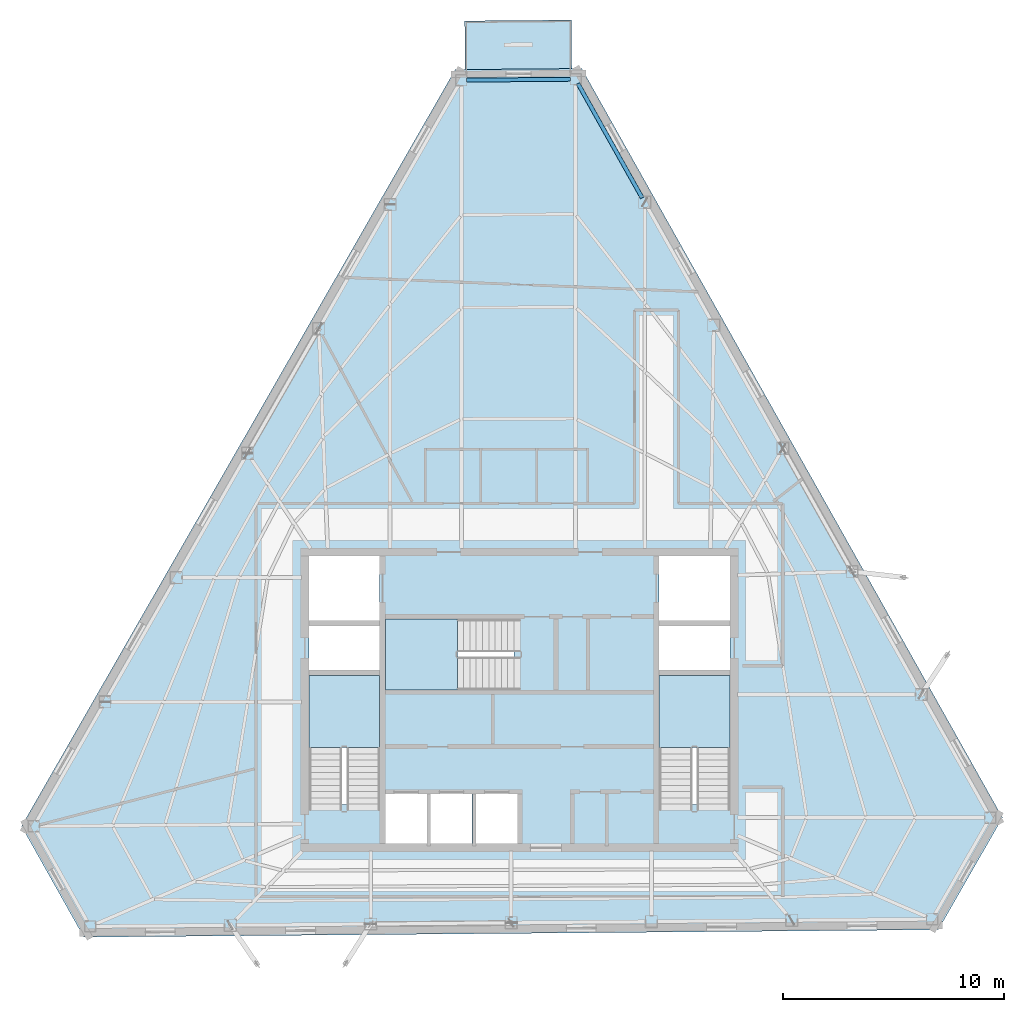
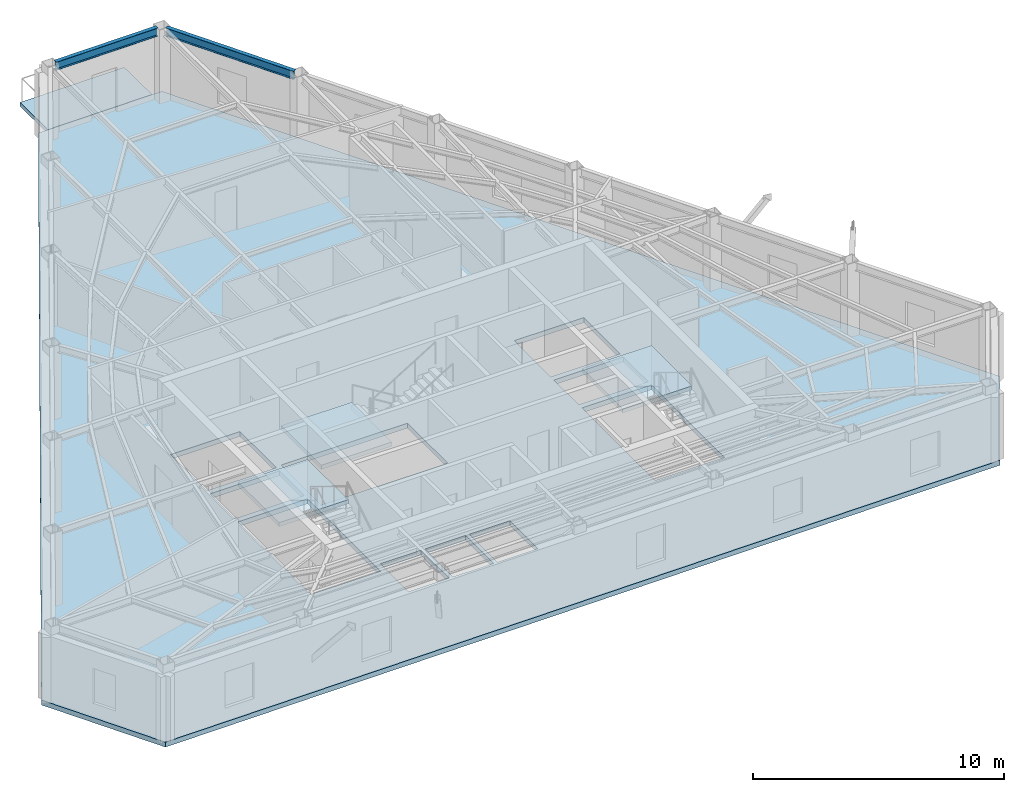
# One storey, part 3 of 11: 5 slabs, 2 beams, 3 elements without a shape of their own.
"""IFC4 building model written with IfcOpenShell, lengths in metres."""

import ifcopenshell
import ifcopenshell.guid

model = None  # the IFC model being written
_history = None  # IfcOwnerHistory: only IFC2X3 demands one
_inside = {}  # id of a spatial element -> (the spatial element, [elements in it])
_under = {}  # id of a project, library or spatial element -> (it, [spatial elements below it])
_declared = {}  # id of a project -> (the project, [libraries it declares])
_typed = {}  # id of a type object -> (the type object, [elements of that type])
_made_of = {}  # id of a material, layer set ... -> (it, [elements and type objects made of it])


def new_model(schema):
    """Start an empty IFC model of exactly this schema.

    Asked for "IFC4X3", IfcOpenShell would pick the latest addendum, in which some entities
    have other attributes; the version numbers below select the first issue.
    IFC2X3 requires an IfcOwnerHistory on every rooted entity: one is made here for all.
    """
    global model, _history
    if schema == "IFC4X3":
        model = ifcopenshell.file(schema_version=(4, 3, 0, 0))
    else:
        model = ifcopenshell.file(schema=schema)
    _inside.clear()
    _under.clear()
    _declared.clear()
    _typed.clear()
    _made_of.clear()
    _history = None
    if model.schema == "IFC2X3":
        org = make("IfcOrganization", Name="unknown")
        user = make(
            "IfcPersonAndOrganization",
            ThePerson=make("IfcPerson", FamilyName="unknown"),
            TheOrganization=org,
        )
        app = make(
            "IfcApplication",
            ApplicationDeveloper=org,
            Version="unknown",
            ApplicationFullName="unknown",
            ApplicationIdentifier="unknown",
        )
        _history = make(
            "IfcOwnerHistory",
            OwningUser=user,
            OwningApplication=app,
            ChangeAction="ADDED",
            CreationDate=0,
        )
    return model


def make(cls, **values):
    """One entity of the class cls with the attributes given. An attribute that is None is left unset."""
    return model.create_entity(
        cls, **{name: value for name, value in values.items() if value is not None}
    )


def rooted(cls, **values):
    """An entity with a GlobalId (a new one), such as an element, a storey or a relation."""
    return make(cls, GlobalId=ifcopenshell.guid.new(), OwnerHistory=_history, **values)


def si_unit(unit_type, name, prefix=None):
    """IfcSIUnit, for example si_unit("LENGTHUNIT", "METRE", prefix="MILLI")."""
    return make("IfcSIUnit", UnitType=unit_type, Prefix=prefix, Name=name)


def assignment(units):
    """IfcUnitAssignment: the units of a project."""
    return None if units is None else make("IfcUnitAssignment", Units=units)


def point(xyz):
    """IfcCartesianPoint."""
    return None if xyz is None else make("IfcCartesianPoint", Coordinates=xyz)


def direction(xyz):
    """IfcDirection."""
    return None if xyz is None else make("IfcDirection", DirectionRatios=xyz)


def frame(location, z_axis=None, x_axis=None):
    """IfcAxis2Placement3D, a coordinate frame: its origin and axes. An axis left out is left unset."""
    return make(
        "IfcAxis2Placement3D",
        Location=point(location),
        Axis=direction(z_axis),
        RefDirection=direction(x_axis),
    )


def frame_2d(location, x_axis=None):
    """IfcAxis2Placement2D, a coordinate frame in the plane: its origin and x axis."""
    return make(
        "IfcAxis2Placement2D", Location=point(location), RefDirection=direction(x_axis)
    )


def origin():
    """The frame at (0, 0, 0) with its axes left unset."""
    return frame((0.0, 0.0, 0.0))


def origin_2d():
    """The frame at (0, 0) in the plane with its x axis left unset."""
    return frame_2d((0.0, 0.0))


def place(relative_to, where):
    """IfcLocalPlacement: puts the frame where relative to a parent placement (None: the world)."""
    return make(
        "IfcLocalPlacement", PlacementRelTo=relative_to, RelativePlacement=where
    )


def context(
    kind, dimensions, precision=None, world=None, true_north=None, identifier=None
):
    """IfcGeometricRepresentationContext, for example the 3D "Model" context."""
    return make(
        "IfcGeometricRepresentationContext",
        ContextIdentifier=identifier,
        ContextType=kind,
        CoordinateSpaceDimension=dimensions,
        Precision=precision,
        WorldCoordinateSystem=world,
        TrueNorth=true_north,
    )


def subcontext(parent, identifier, kind, view, scale=None):
    """IfcGeometricRepresentationSubContext, for example "Body" below "Model"."""
    return make(
        "IfcGeometricRepresentationSubContext",
        ContextIdentifier=identifier,
        ContextType=kind,
        ParentContext=parent,
        TargetScale=scale,
        TargetView=view,
    )


def project(units=None, contexts=None):
    """IfcProject with its units and contexts."""
    return rooted(
        "IfcProject",
        Name="project",
        RepresentationContexts=contexts,
        UnitsInContext=assignment(units),
    )


def spatial(cls, under=None, at=None, **own):
    """A site, building, storey or space (cls), placed at a placement, below another one or the project."""
    s = rooted(cls, ObjectPlacement=at, **own)
    if under is not None:
        _under.setdefault(under.id(), (under, []))[1].append(s)
    return s


def polyline(points):
    """IfcPolyline through the points."""
    return make("IfcPolyline", Points=[point(p) for p in points])


def profile(cls, at=None, kind="AREA", **sizes):
    """A parametric profile (cls). Its sizes go by their IFC names, for example OverallWidth=200.0."""
    return make(cls, ProfileType=kind, Position=at, **sizes)


def i_section(**sizes):
    """IfcIShapeProfileDef."""
    return profile("IfcIShapeProfileDef", **sizes)


def outline(outer, holes=None, kind="AREA"):
    """IfcArbitraryClosedProfileDef: a profile drawn as a closed curve; with holes, ...WithVoids."""
    if holes is None:
        return make("IfcArbitraryClosedProfileDef", ProfileType=kind, OuterCurve=outer)
    return make(
        "IfcArbitraryProfileDefWithVoids",
        ProfileType=kind,
        OuterCurve=outer,
        InnerCurves=holes,
    )


def extrude(swept, where, along, depth):
    """IfcExtrudedAreaSolid: the profile swept, set in the frame where, extruded along a direction by depth."""
    return make(
        "IfcExtrudedAreaSolid",
        SweptArea=swept,
        Position=where,
        ExtrudedDirection=direction(along),
        Depth=depth,
    )


def shape(context_of_items, identifier, shape_type, items):
    """IfcShapeRepresentation: the items that make up one representation, for example the "Body"."""
    return make(
        "IfcShapeRepresentation",
        ContextOfItems=context_of_items,
        RepresentationIdentifier=identifier,
        RepresentationType=shape_type,
        Items=items,
    )


def material(Name=None, Category=None):
    """IfcMaterial."""
    return make("IfcMaterial", Name=Name, Category=Category)


def layer(
    of_material, thickness, ventilated=None, Name=None, Category=None, Priority=None
):
    """IfcMaterialLayer: one layer of a wall or slab, of a material (None: an air gap)."""
    return make(
        "IfcMaterialLayer",
        Material=of_material,
        LayerThickness=thickness,
        IsVentilated=ventilated,
        Name=Name,
        Category=Category,
        Priority=Priority,
    )


def layer_set(layers, Name=None):
    """IfcMaterialLayerSet."""
    return make("IfcMaterialLayerSet", MaterialLayers=layers, LayerSetName=Name)


def material_profile(
    of_material, cross_section, Name=None, Category=None, Priority=None
):
    """IfcMaterialProfile: a cross section and its material."""
    return make(
        "IfcMaterialProfile",
        Name=Name,
        Material=of_material,
        Profile=cross_section,
        Priority=Priority,
        Category=Category,
    )


def profile_set(profiles, Name=None, composite=None):
    """IfcMaterialProfileSet."""
    return make(
        "IfcMaterialProfileSet",
        Name=Name,
        MaterialProfiles=profiles,
        CompositeProfile=composite,
    )


def made_of(thing, what):
    """Note that an element or type object is made of a material, layer set ...; save() writes the relation."""
    if what is not None:
        _made_of.setdefault(what.id(), (what, []))[1].append(thing)
    return thing


def type_object(cls, material=None, **own):
    """A type object (cls), such as IfcWallType, which elements share."""
    return made_of(rooted(cls, **own), material)


def element(
    cls,
    number,
    at=None,
    inside=None,
    cuts=None,
    type_object=None,
    material=None,
    context=None,
    identifier="Body",
    shape_type=None,
    held_by="IfcProductDefinitionShape",
    body=None,
    shapes=None,
    **own,
):
    """One element of the class cls, such as IfcWall. Its Tag is "e" and its number.

    at: its placement. inside: the storey or other place that contains it. cuts: it is an
    opening in that element (IfcRelVoidsElement). A single representation is given by context,
    identifier, shape_type and body (its items); several are given by shapes. held_by: the class
    of the entity that holds the representations. save() writes the other relations.
    """
    e = rooted(cls, Tag="e%d" % number, ObjectPlacement=at, **own)
    if body is not None:
        shapes = [shape(context, identifier, shape_type, body)]
    if shapes is not None:
        e.Representation = make(held_by, Representations=shapes)
    if inside is not None:
        _inside.setdefault(inside.id(), (inside, []))[1].append(e)
    if cuts is not None:
        rooted(
            "IfcRelVoidsElement", RelatingBuildingElement=cuts, RelatedOpeningElement=e
        )
    if type_object is not None:
        _typed.setdefault(type_object.id(), (type_object, []))[1].append(e)
    return made_of(e, material)


def aggregate(whole, parts):
    """IfcRelAggregates: a whole, such as a stair, and the parts it consists of."""
    return rooted("IfcRelAggregates", RelatingObject=whole, RelatedObjects=parts)


def save(model, path):
    """Write the relations noted so far, then the file.

    IfcRelAggregates (storeys below a building ...), IfcRelContainedInSpatialStructure (elements
    in a storey), IfcRelDefinesByType, IfcRelAssociatesMaterial and IfcRelDeclares: one each for
    every whole, place, type object, material and project.
    """
    for whole, parts in _under.values():
        aggregate(whole, parts)
    for where, things in _inside.values():
        rooted(
            "IfcRelContainedInSpatialStructure",
            RelatedElements=things,
            RelatingStructure=where,
        )
    for kind, things in _typed.values():
        rooted("IfcRelDefinesByType", RelatedObjects=things, RelatingType=kind)
    for what, things in _made_of.values():
        rooted("IfcRelAssociatesMaterial", RelatedObjects=things, RelatingMaterial=what)
    for by, libraries in _declared.values():
        rooted("IfcRelDeclares", RelatingContext=by, RelatedDefinitions=libraries)
    model.write(path)


model = new_model("IFC4")

# Units and contexts
model_context = context("Model", 3, precision=1e-05, world=origin(), true_north=direction((0.0, 1.0)))
body_context = subcontext(model_context, "Body", "Model", "MODEL_VIEW")
ifc_project = project(units=[si_unit("LENGTHUNIT", "METRE"), si_unit("AREAUNIT", "SQUARE_METRE"), si_unit("VOLUMEUNIT", "CUBIC_METRE"), si_unit("PLANEANGLEUNIT", "RADIAN"), si_unit("MASSUNIT", "GRAM", prefix="KILO")], contexts=[model_context])

# Site, building, storey
site_placement = place(None, origin())
site = spatial("IfcSite", under=ifc_project, at=site_placement, CompositionType="ELEMENT")
building_placement = place(site_placement, origin())
building = spatial("IfcBuilding", under=site, at=building_placement, Name="Kavelnor Concourse Tower", CompositionType="ELEMENT")
storey_placement = place(building_placement, frame((0.0, 0.0, 297.25)))
storey = spatial("IfcBuildingStorey", under=building, at=storey_placement, Name="L75", CompositionType="ELEMENT", Elevation=297.25)

# Beams
ifc_material_1 = material(Name="Steel Grade 350", Category="steel")
ifc_material_profile = material_profile(ifc_material_1, i_section(OverallWidth=0.177978515625, OverallDepth=0.406005859375, WebThickness=0.0078125, FlangeThickness=0.0126953125, at=origin_2d()), Name="410UB59")
ifc_profile_set = profile_set([ifc_material_profile], Name="Steel Grade 350")
beam_type = type_object("IfcBeamType", Name="BM-SPANDREL-Z4", PredefinedType="SPANDREL", material=ifc_profile_set)
beam_1_placement = place(storey_placement, frame((40.314453125, 44.173583984375, 3.406982421875), z_axis=(-0.999962167552, -0.008698474817, 0.0), x_axis=(0.008698474817, -0.999962167552, 0.0)))
element("IfcBeam", 1, at=beam_1_placement, inside=storey, type_object=beam_type, Name="L75 Chamfer Facet Spandrel Beam C0", PredefinedType="SPANDREL", context=body_context, shape_type="SweptSolid", body=[
    extrude(i_section(OverallWidth=0.177978515625, OverallDepth=0.406005859375, WebThickness=0.0078125, FlangeThickness=0.0126953125, at=origin_2d()), origin(), (0.0, 0.0, 1.0), 4.71533203125),
])
beam_2_placement = place(storey_placement, frame((43.555908203125, 38.805419921875, 3.406982421875), z_axis=(-0.489745484223, 0.871865448727, 0.0), x_axis=(-0.871865448727, -0.489745484223, 0.0)))
element("IfcBeam", 2, at=beam_2_placement, inside=storey, type_object=beam_type, Name="L75 Perimeter Tube Spandrel Beam F2-B5", PredefinedType="SPANDREL", context=body_context, shape_type="SweptSolid", body=[
    extrude(i_section(OverallWidth=0.177978515625, OverallDepth=0.406005859375, WebThickness=0.0078125, FlangeThickness=0.0126953125, at=origin_2d()), origin(), (0.0, 0.0, 1.0), 5.934326171875),
])

# Stair, slab
ifc_material_2 = material(Name="Concrete C40/50", Category="concrete")
stair_type = type_object("IfcStairType", Name="STR-CORE-1500", PredefinedType="HALF_TURN_STAIR", material=ifc_material_2)
stair_1_placement = place(storey_placement, origin())
stair_1 = element("IfcStair", 3, at=stair_1_placement, inside=storey, type_object=stair_type, Name="L75 ST1", PredefinedType="HALF_TURN_STAIR")
ifc_layer_1 = layer(ifc_material_2, 0.199951171875, Name="Concrete C40/50")
ifc_layer_set_1 = layer_set([ifc_layer_1], Name="Concrete C40/50")
slab_type_1 = type_object("IfcSlabType", Name="SLB-LANDING-200", PredefinedType="LANDING", material=ifc_layer_set_1)
slab_1_placement = place(storey_placement, frame((0.0, 0.0, 1.72509765625)))
slab_1 = element("IfcSlab", 4, at=slab_1_placement, type_object=slab_type_1, Name="ST1 landing 1", PredefinedType="LANDING", context=body_context, shape_type="SweptSolid", body=[
    extrude(outline(polyline([(31.679931640625, 13.949951171875), (31.679931640625, 17.199951171875), (28.47998046875, 17.199951171875), (28.47998046875, 13.949951171875), (31.679931640625, 13.949951171875)])), origin(), (0.0, 0.0, 1.0), 0.199951171875),
])
aggregate(stair_1, [slab_1])

stair_2_placement = place(storey_placement, origin())
stair_2 = element("IfcStair", 5, at=stair_2_placement, inside=storey, type_object=stair_type, Name="L75 ST2", PredefinedType="HALF_TURN_STAIR")
slab_2_placement = place(storey_placement, frame((0.0, 0.0, 1.72509765625)))
slab_2 = element("IfcSlab", 6, at=slab_2_placement, type_object=slab_type_1, Name="ST2 landing 1", PredefinedType="LANDING", context=body_context, shape_type="SweptSolid", body=[
    extrude(outline(polyline([(47.52001953125, 13.949951171875), (47.52001953125, 17.199951171875), (44.320068359375, 17.199951171875), (44.320068359375, 13.949951171875), (47.52001953125, 13.949951171875)])), origin(), (0.0, 0.0, 1.0), 0.199951171875),
])
aggregate(stair_2, [slab_2])

stair_3_placement = place(storey_placement, origin())
stair_3 = element("IfcStair", 7, at=stair_3_placement, inside=storey, type_object=stair_type, Name="L75 ST3", PredefinedType="HALF_TURN_STAIR")
slab_3_placement = place(storey_placement, frame((0.0, 0.0, 1.72509765625)))
slab_3 = element("IfcSlab", 8, at=slab_3_placement, type_object=slab_type_1, Name="ST3 landing 1", PredefinedType="LANDING", context=body_context, shape_type="SweptSolid", body=[
    extrude(outline(polyline([(35.18994140625, 19.760009765625), (31.93994140625, 19.760009765625), (31.93994140625, 16.56005859375), (35.18994140625, 16.56005859375), (35.18994140625, 19.760009765625)])), origin(), (0.0, 0.0, 1.0), 0.199951171875),
])
aggregate(stair_3, [slab_3])

# Slabs
ifc_layer_2 = layer(ifc_material_2, 0.239990234375, Name="Concrete C40/50")
ifc_layer_set_2 = layer_set([ifc_layer_2], Name="Concrete C40/50")
slab_type_2 = type_object("IfcSlabType", Name="SLB-OFFICE-240", PredefinedType="FLOOR", material=ifc_layer_set_2)
slab_4_placement = place(storey_placement, frame((0.0, 0.0, -0.239990234375)))
element("IfcSlab", 9, at=slab_4_placement, inside=storey, type_object=slab_type_2, Name="L75 Composite Structural Floor Slab", PredefinedType="FLOOR", context=body_context, shape_type="SweptSolid", body=[
    extrude(outline(polyline([(40.81884765625, 44.657958984375), (35.094970703125, 44.608154296875), (15.480712890625, 10.389404296875), (18.299560546875, 5.37109375), (56.946044921875, 5.706787109375), (59.851318359375, 10.775146484375), (40.81884765625, 44.657958984375)]), holes=[polyline([(28.47998046875, 11.3798828125), (31.679931640625, 11.3798828125), (31.679931640625, 17.199951171875), (28.47998046875, 17.199951171875), (28.47998046875, 11.3798828125)]), polyline([(44.320068359375, 11.3798828125), (47.52001953125, 11.3798828125), (47.52001953125, 17.199951171875), (44.320068359375, 17.199951171875), (44.320068359375, 11.3798828125)]), polyline([(31.93994140625, 16.56005859375), (37.760009765625, 16.56005859375), (37.760009765625, 19.760009765625), (31.93994140625, 19.760009765625), (31.93994140625, 16.56005859375)]), polyline([(28.47998046875, 19.699951171875), (31.679931640625, 19.699951171875), (31.679931640625, 22.60009765625), (28.47998046875, 22.60009765625), (28.47998046875, 19.699951171875)]), polyline([(44.320068359375, 19.699951171875), (47.52001953125, 19.699951171875), (47.52001953125, 22.60009765625), (44.320068359375, 22.60009765625), (44.320068359375, 19.699951171875)]), polyline([(31.93994140625, 9.60009765625), (33.81005859375, 9.60009765625), (33.81005859375, 11.840087890625), (31.93994140625, 11.840087890625), (31.93994140625, 9.60009765625)]), polyline([(33.989990234375, 9.60009765625), (35.860107421875, 9.60009765625), (35.860107421875, 11.840087890625), (33.989990234375, 11.840087890625), (33.989990234375, 9.60009765625)]), polyline([(36.0400390625, 9.60009765625), (37.909912109375, 9.60009765625), (37.909912109375, 11.840087890625), (36.0400390625, 11.840087890625), (36.0400390625, 9.60009765625)]), polyline([(28.47998046875, 17.4599609375), (31.679931640625, 17.4599609375), (31.679931640625, 19.43994140625), (28.47998046875, 19.43994140625), (28.47998046875, 17.4599609375)]), polyline([(44.320068359375, 17.4599609375), (47.52001953125, 17.4599609375), (47.52001953125, 19.43994140625), (44.320068359375, 19.43994140625), (44.320068359375, 17.4599609375)])]), origin(), (0.0, 0.0, 1.0), 0.239990234375),
])
ifc_layer_3 = layer(ifc_material_2, 0.18994140625, Name="Concrete C40/50")
ifc_layer_set_3 = layer_set([ifc_layer_3], Name="Concrete C40/50")
slab_type_3 = type_object("IfcSlabType", Name="SLB-TERRACE-190", PredefinedType="FLOOR", material=ifc_layer_set_3)
slab_5_placement = place(storey_placement, frame((0.0, 0.0, -0.18994140625)))
element("IfcSlab", 10, at=slab_5_placement, inside=storey, type_object=slab_type_3, Name="L75 Spiralling Sky Terrace Slab", PredefinedType="FLOOR", context=body_context, shape_type="SweptSolid", body=[
    extrude(outline(polyline([(35.52587890625, 46.81201171875), (40.349853515625, 46.85400390625), (40.368896484375, 44.654052734375), (35.544921875, 44.612060546875), (35.52587890625, 46.81201171875)])), origin(), (0.0, 0.0, 1.0), 0.18994140625),
])

save(model, "model.ifc")
